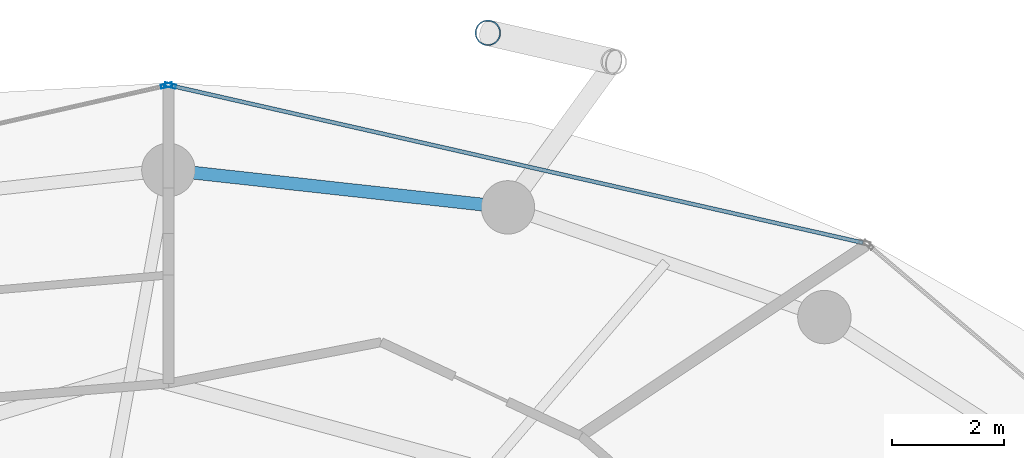
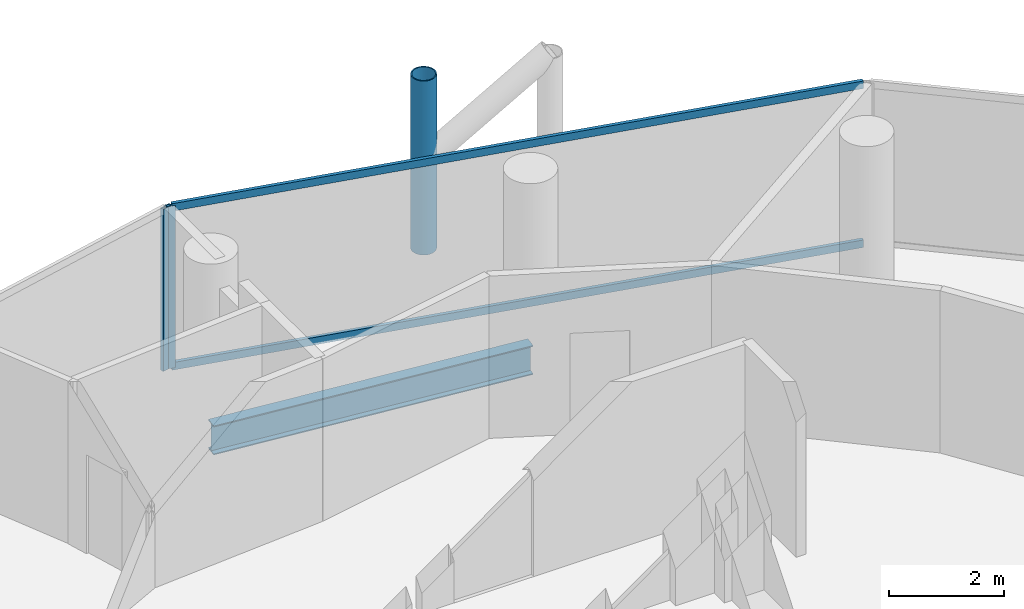
# One storey, part 17 of 26: 5 members, 1 beam, 2 elements without a shape of their own.
"""IFC4 building model written with IfcOpenShell, lengths in metres."""

from ifc_helpers import new_model, si_unit, direction, frame, origin, origin_2d, place, context, subcontext, project, spatial, hollow_rectangle, hollow_circle, i_section, extrude, material, layer, layer_set, material_profile, profile_set, type_object, element, aggregate, save


model = new_model("IFC4")

# Units and contexts
model_context = context("Model", 3, precision=1e-05, world=origin(), true_north=direction((0.0, 1.0)))
body_context = subcontext(model_context, "Body", "Model", "MODEL_VIEW")
ifc_project = project(units=[si_unit("LENGTHUNIT", "METRE"), si_unit("AREAUNIT", "SQUARE_METRE"), si_unit("VOLUMEUNIT", "CUBIC_METRE"), si_unit("PLANEANGLEUNIT", "RADIAN"), si_unit("MASSUNIT", "GRAM", prefix="KILO")], contexts=[model_context])

# Site, building, storey
site_placement = place(None, origin())
site = spatial("IfcSite", under=ifc_project, at=site_placement, CompositionType="ELEMENT")
building_placement = place(site_placement, origin())
building = spatial("IfcBuilding", under=site, at=building_placement, Name="Nuhasar Tower", CompositionType="ELEMENT")
storey_placement = place(building_placement, frame((0.0, 0.0, 129.35009765625)))
storey = spatial("IfcBuildingStorey", under=building, at=storey_placement, Name="L30", CompositionType="ELEMENT", Elevation=129.35009765625)

# Beam
ifc_material_1 = material(Name="Steel S355", Category="steel")
ifc_material_profile_1 = material_profile(ifc_material_1, i_section(OverallWidth=0.22998046875, OverallDepth=0.616943359375, WebThickness=0.01318359375, FlangeThickness=0.022216796875, at=origin_2d()), Name="W24X94")
ifc_profile_set_1 = profile_set([ifc_material_profile_1], Name="Steel S355")
beam_type = type_object("IfcBeamType", Name="BM-RING-W24X94", PredefinedType="SPANDREL", material=ifc_profile_set_1)
beam_placement = place(storey_placement, frame((45.04296875, 45.68408203125, -0.55908203125), z_axis=(-0.993981289157, 0.109549974015, 0.0), x_axis=(-0.109549974015, -0.993981289157, 0.0)))
element("IfcBeam", 1, at=beam_placement, inside=storey, type_object=beam_type, Name="L30 Perimeter Ring Spandrel 06", PredefinedType="SPANDREL", context=body_context, shape_type="SweptSolid", body=[
    extrude(i_section(OverallWidth=0.22998046875, OverallDepth=0.616943359375, WebThickness=0.01318359375, FlangeThickness=0.022216796875, at=origin_2d()), origin(), (0.0, 0.0, 1.0), 6.07958984375),
])

# Curtain wall, member
ifc_material_2 = material(Name="Aluminium 6063-T6", Category="aluminium")
ifc_layer = layer(ifc_material_2, 0.199951171875)
ifc_layer_set = layer_set([ifc_layer], Name="Aluminium 6063-T6")
curtain_wall_type = type_object("IfcCurtainWallType", Name="CW-Z2-HTL", PredefinedType="NOTDEFINED", material=ifc_layer_set)
curtain_wall_1_placement = place(storey_placement, origin())
curtain_wall_1 = element("IfcCurtainWall", 2, at=curtain_wall_1_placement, inside=storey, type_object=curtain_wall_type, Name="L30 Unitised Curtain Wall 03", PredefinedType="NOTDEFINED")
ifc_material_profile_2 = material_profile(ifc_material_2, hollow_rectangle(XDim=0.070068359375, YDim=0.199951171875, WallThickness=0.0048828125, at=origin_2d()), Name="CWM-3")
ifc_profile_set_2 = profile_set([ifc_material_profile_2], Name="Aluminium 6063-T6")
member_type_1 = type_object("IfcMemberType", Name="CW-MUL-S3", PredefinedType="MULLION", material=ifc_profile_set_2)
member_1_placement = place(storey_placement, frame((39.0341796875, 47.852294921875, 0.0), z_axis=(0.0, 0.0, 1.0), x_axis=(-0.22139729566, -0.975183694221, 0.0)))
member_1 = element("IfcMember", 3, at=member_1_placement, type_object=member_type_1, Name="CW-Z2 mullion 2", PredefinedType="MULLION", context=body_context, shape_type="SweptSolid", body=[
    extrude(hollow_rectangle(XDim=0.070068359375, YDim=0.199951171875, WallThickness=0.0048828125, at=origin_2d()), origin(), (0.0, 0.0, 1.0), 3.449951171875),
])

curtain_wall_2_placement = place(storey_placement, origin())
curtain_wall_2 = element("IfcCurtainWall", 4, at=curtain_wall_2_placement, inside=storey, type_object=curtain_wall_type, Name="L30 Unitised Curtain Wall 04", PredefinedType="NOTDEFINED")
member_2_placement = place(storey_placement, frame((38.9658203125, 47.852294921875, 0.0), z_axis=(0.0, 0.0, 1.0), x_axis=(0.22139729566, -0.975183694221, 0.0)))
member_2 = element("IfcMember", 5, at=member_2_placement, type_object=member_type_1, Name="CW-Z2 mullion 1", PredefinedType="MULLION", context=body_context, shape_type="SweptSolid", body=[
    extrude(hollow_rectangle(XDim=0.070068359375, YDim=0.199951171875, WallThickness=0.0048828125, at=origin_2d()), origin(), (0.0, 0.0, 1.0), 3.449951171875),
])
aggregate(curtain_wall_2, [member_2])

# Member
ifc_material_profile_3 = material_profile(ifc_material_2, hollow_rectangle(XDim=0.070068359375, YDim=0.159912109375, WallThickness=0.00439453125, at=origin_2d()), Name="CWT-3")
ifc_profile_set_3 = profile_set([ifc_material_profile_3], Name="Aluminium 6063-T6")
member_type_2 = type_object("IfcMemberType", Name="CW-TRN-S3", PredefinedType="USERDEFINED", material=ifc_profile_set_3)
member_3_placement = place(storey_placement, frame((51.36181640625, 45.053466796875, 0.034912109375), z_axis=(-0.975183434528, 0.221398439519, 0.0), x_axis=(-0.221398439519, -0.975183434528, 0.0)))
member_3 = element("IfcMember", 6, at=member_3_placement, type_object=member_type_2, Name="CW-Z2 transom 1.1", ObjectType="TRANSOM", PredefinedType="USERDEFINED", context=body_context, shape_type="SweptSolid", body=[
    extrude(hollow_rectangle(XDim=0.070068359375, YDim=0.159912109375, WallThickness=0.00439453125, at=origin_2d()), origin(), (0.0, 0.0, 1.0), 12.606201171875),
])

member_4_placement = place(storey_placement, frame((51.36181640625, 45.053466796875, 3.414794921875), z_axis=(-0.975183434528, 0.221398439519, 0.0), x_axis=(-0.221398439519, -0.975183434528, 0.0)))
member_4 = element("IfcMember", 7, at=member_4_placement, type_object=member_type_2, Name="CW-Z2 transom 1.2", ObjectType="TRANSOM", PredefinedType="USERDEFINED", context=body_context, shape_type="SweptSolid", body=[
    extrude(hollow_rectangle(XDim=0.070068359375, YDim=0.159912109375, WallThickness=0.00439453125, at=origin_2d()), origin(), (0.0, 0.0, 1.0), 12.606201171875),
])

aggregate(curtain_wall_1, [member_1, member_3, member_4])

ifc_material_3 = material(Name="Steel S460", Category="steel")
ifc_material_profile_4 = material_profile(ifc_material_3, hollow_circle(Radius=0.228515625, WallThickness=0.022216796875, at=origin_2d()), Name="HSS457X22.2")
ifc_profile_set_4 = profile_set([ifc_material_profile_4], Name="Steel S460")
member_type_3 = type_object("IfcMemberType", Name="EXO-BRONZE-457", PredefinedType="BRACE", material=ifc_profile_set_4)
member_5_placement = place(storey_placement, frame((44.68603515625, 48.7900390625, 0.0), z_axis=(0.0, 0.0, 1.0), x_axis=(1.0, 0.0, 0.0)))
element("IfcMember", 8, at=member_5_placement, inside=storey, type_object=member_type_3, Name="L30 Exoskeleton Chord Column EC-03B", PredefinedType="BRACE", context=body_context, shape_type="SweptSolid", body=[
    extrude(hollow_circle(Radius=0.228515625, WallThickness=0.022216796875, at=origin_2d()), origin(), (0.0, 0.0, 1.0), 3.699951171875),
])

save(model, "model.ifc")
